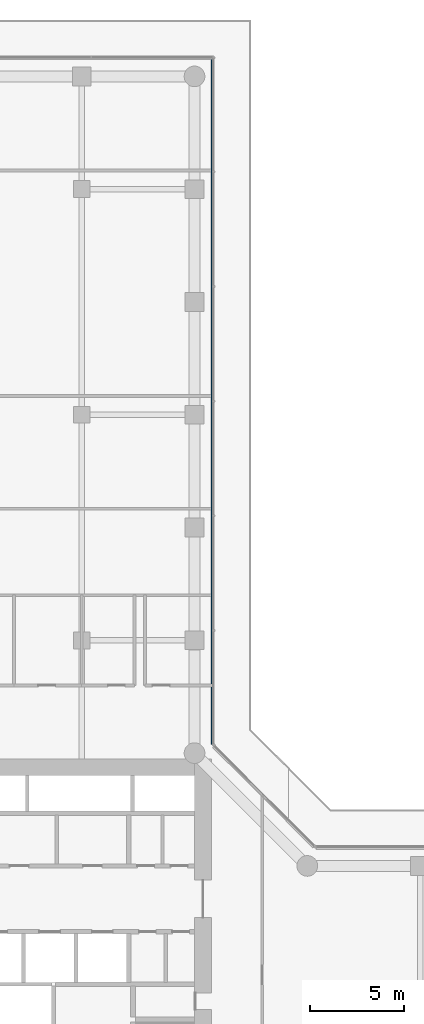
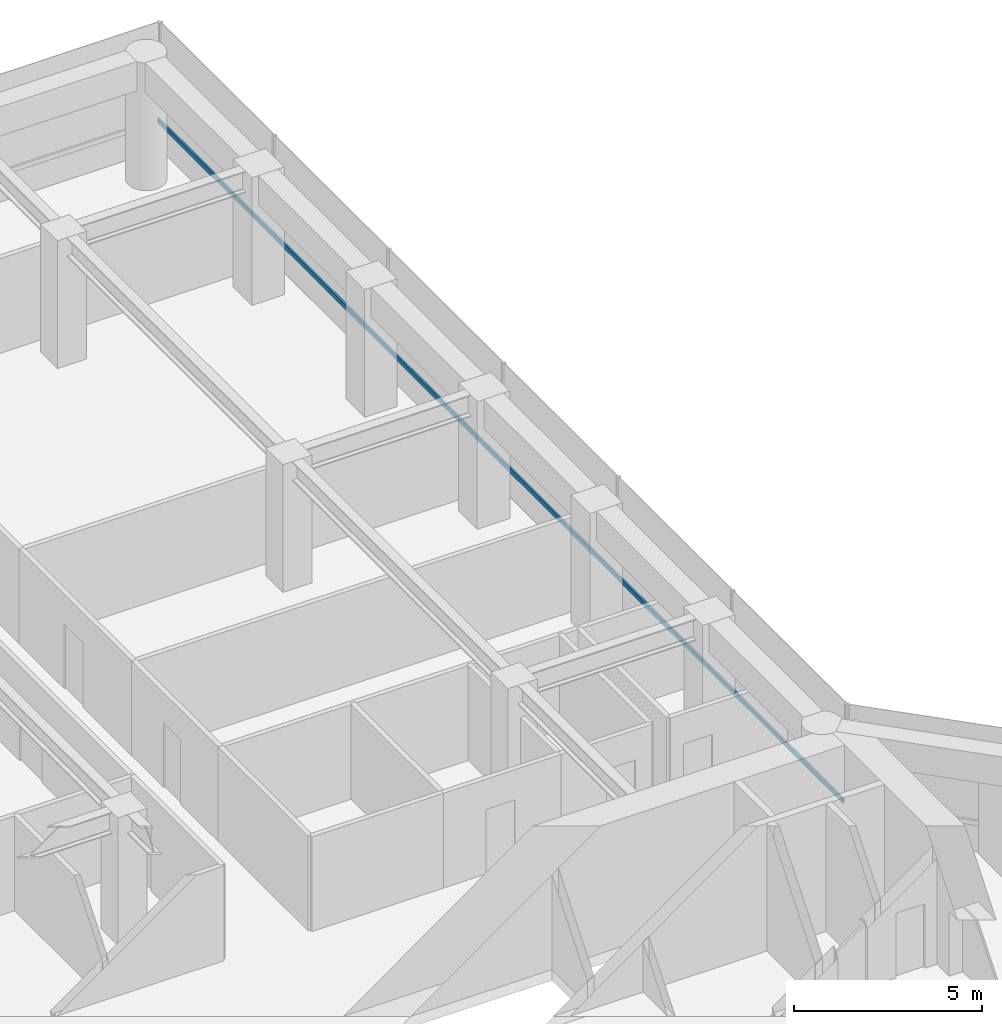
# One storey, part 16 of 24: 1 member, 1 element without a shape of its own.
"""IFC4 building model written with IfcOpenShell, lengths in metres."""

from ifc_helpers import new_model, si_unit, direction, frame, origin, origin_2d, place, context, subcontext, project, spatial, rectangle, extrude, material, layer, layer_set, material_profile, profile_set, type_object, element, aggregate, save


model = new_model("IFC4")

# Units and contexts
model_context = context("Model", 3, precision=1e-05, world=origin(), true_north=direction((0.0, 1.0)))
body_context = subcontext(model_context, "Body", "Model", "MODEL_VIEW")
ifc_project = project(units=[si_unit("LENGTHUNIT", "METRE"), si_unit("AREAUNIT", "SQUARE_METRE"), si_unit("VOLUMEUNIT", "CUBIC_METRE"), si_unit("PLANEANGLEUNIT", "RADIAN"), si_unit("MASSUNIT", "GRAM", prefix="KILO")], contexts=[model_context])

# Site, building, storey
site_placement = place(None, origin())
site = spatial("IfcSite", under=ifc_project, at=site_placement, CompositionType="ELEMENT")
building_placement = place(site_placement, origin())
building = spatial("IfcBuilding", under=site, at=building_placement, Name="Welwitschia Terrace Campus", CompositionType="ELEMENT")
storey_placement = place(building_placement, frame((0.0, 0.0, 20.0)))
storey = spatial("IfcBuildingStorey", under=building, at=storey_placement, Name="L04", CompositionType="ELEMENT", Elevation=20.0)

# Curtain wall, member
ifc_material_1 = material(Name="Bronze anodised aluminium", Category="aluminium")
ifc_layer = layer(ifc_material_1, 0.1201171875)
ifc_layer_set = layer_set([ifc_layer], Name="Bronze anodised aluminium")
curtain_wall_type = type_object("IfcCurtainWallType", Name="Curtain wall CW2 tower 6000", PredefinedType="NOTDEFINED", material=ifc_layer_set)
curtain_wall_placement = place(storey_placement, origin())
curtain_wall = element("IfcCurtainWall", 1, at=curtain_wall_placement, inside=storey, type_object=curtain_wall_type, Name="CW L04.7.0", PredefinedType="NOTDEFINED")
ifc_material_2 = material(Name="Bronze anodised aluminium", Category="aluminium")
ifc_material_profile = material_profile(ifc_material_2, rectangle(XDim=0.06005859375, YDim=0.14990234375, at=origin_2d()))
ifc_profile_set = profile_set([ifc_material_profile], Name="Bronze anodised aluminium")
member_type = type_object("IfcMemberType", Name="Transom 60x150", PredefinedType="USERDEFINED", material=ifc_profile_set)
member_placement = place(storey_placement, frame((24.929931640625, 26.482421875, 1.0), z_axis=(0.0, 1.0, 0.0), x_axis=(-1.0, 0.0, 0.0)))
member = element("IfcMember", 2, at=member_placement, type_object=member_type, Name="Transom L04.7.0", ObjectType="TRANSOM", PredefinedType="USERDEFINED", context=body_context, shape_type="SweptSolid", body=[
    extrude(rectangle(XDim=0.06005859375, YDim=0.14990234375, at=origin_2d()), origin(), (0.0, 0.0, 1.0), 36.4775390625),
])
aggregate(curtain_wall, [member])

save(model, "model.ifc")
